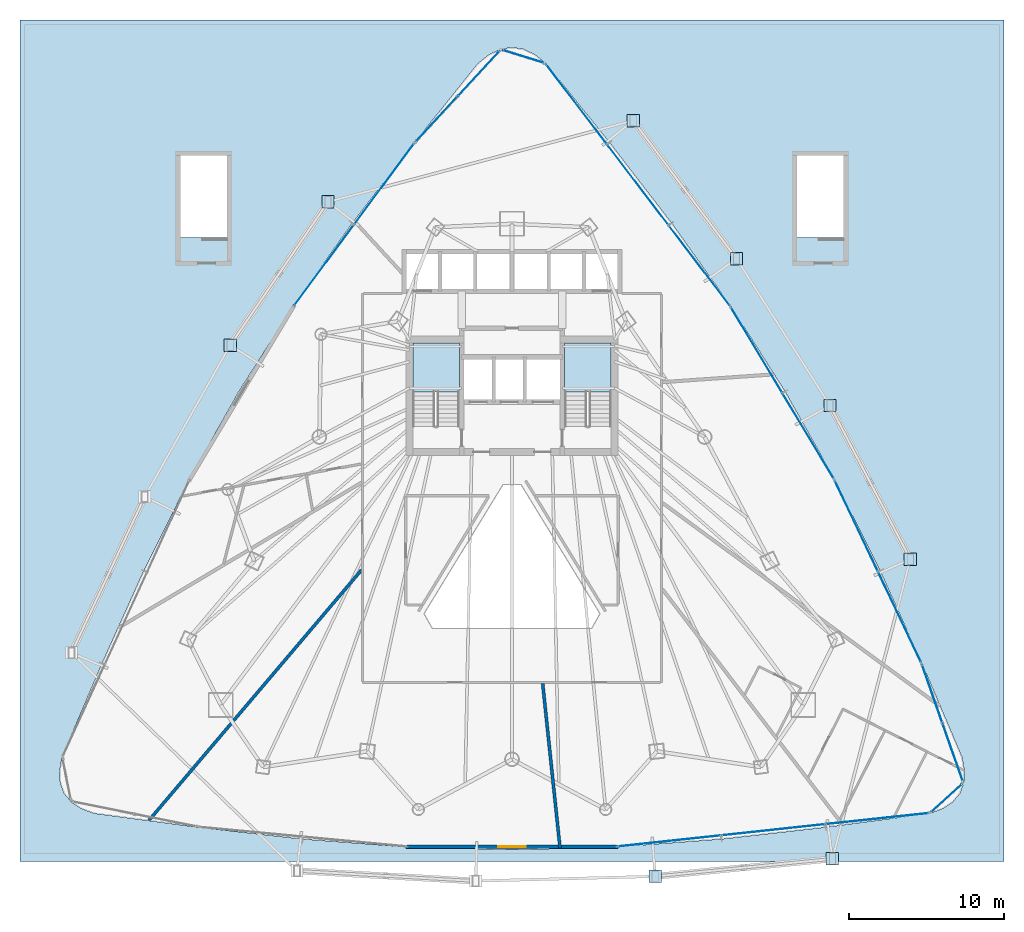
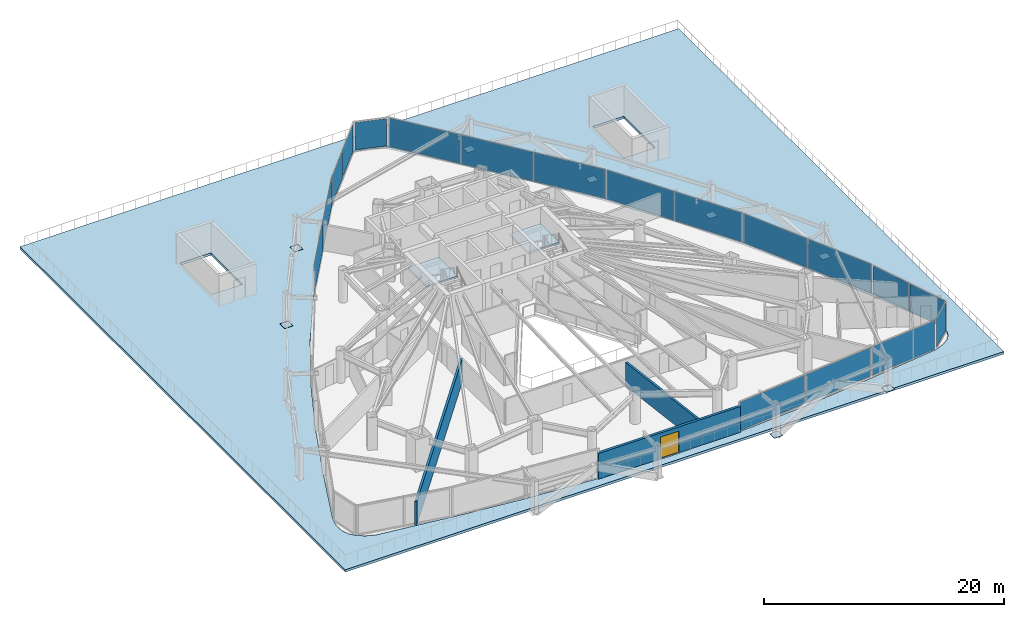
# One storey, part 28 of 36: 26 plates, 3 slabs, 3 walls, 1 door, 1 opening, 11 elements without a shape of their own.
"""IFC4 building model written with IfcOpenShell, lengths in metres."""

import ifcopenshell
import ifcopenshell.guid

model = None  # the IFC model being written
_history = None  # IfcOwnerHistory: only IFC2X3 demands one
_inside = {}  # id of a spatial element -> (the spatial element, [elements in it])
_under = {}  # id of a project, library or spatial element -> (it, [spatial elements below it])
_declared = {}  # id of a project -> (the project, [libraries it declares])
_typed = {}  # id of a type object -> (the type object, [elements of that type])
_made_of = {}  # id of a material, layer set ... -> (it, [elements and type objects made of it])


def new_model(schema):
    """Start an empty IFC model of exactly this schema.

    Asked for "IFC4X3", IfcOpenShell would pick the latest addendum, in which some entities
    have other attributes; the version numbers below select the first issue.
    IFC2X3 requires an IfcOwnerHistory on every rooted entity: one is made here for all.
    """
    global model, _history
    if schema == "IFC4X3":
        model = ifcopenshell.file(schema_version=(4, 3, 0, 0))
    else:
        model = ifcopenshell.file(schema=schema)
    _inside.clear()
    _under.clear()
    _declared.clear()
    _typed.clear()
    _made_of.clear()
    _history = None
    if model.schema == "IFC2X3":
        org = make("IfcOrganization", Name="unknown")
        user = make(
            "IfcPersonAndOrganization",
            ThePerson=make("IfcPerson", FamilyName="unknown"),
            TheOrganization=org,
        )
        app = make(
            "IfcApplication",
            ApplicationDeveloper=org,
            Version="unknown",
            ApplicationFullName="unknown",
            ApplicationIdentifier="unknown",
        )
        _history = make(
            "IfcOwnerHistory",
            OwningUser=user,
            OwningApplication=app,
            ChangeAction="ADDED",
            CreationDate=0,
        )
    return model


def make(cls, **values):
    """One entity of the class cls with the attributes given. An attribute that is None is left unset."""
    return model.create_entity(
        cls, **{name: value for name, value in values.items() if value is not None}
    )


def rooted(cls, **values):
    """An entity with a GlobalId (a new one), such as an element, a storey or a relation."""
    return make(cls, GlobalId=ifcopenshell.guid.new(), OwnerHistory=_history, **values)


def si_unit(unit_type, name, prefix=None):
    """IfcSIUnit, for example si_unit("LENGTHUNIT", "METRE", prefix="MILLI")."""
    return make("IfcSIUnit", UnitType=unit_type, Prefix=prefix, Name=name)


def assignment(units):
    """IfcUnitAssignment: the units of a project."""
    return None if units is None else make("IfcUnitAssignment", Units=units)


def point(xyz):
    """IfcCartesianPoint."""
    return None if xyz is None else make("IfcCartesianPoint", Coordinates=xyz)


def direction(xyz):
    """IfcDirection."""
    return None if xyz is None else make("IfcDirection", DirectionRatios=xyz)


def frame(location, z_axis=None, x_axis=None):
    """IfcAxis2Placement3D, a coordinate frame: its origin and axes. An axis left out is left unset."""
    return make(
        "IfcAxis2Placement3D",
        Location=point(location),
        Axis=direction(z_axis),
        RefDirection=direction(x_axis),
    )


def frame_2d(location, x_axis=None):
    """IfcAxis2Placement2D, a coordinate frame in the plane: its origin and x axis."""
    return make(
        "IfcAxis2Placement2D", Location=point(location), RefDirection=direction(x_axis)
    )


def origin():
    """The frame at (0, 0, 0) with its axes left unset."""
    return frame((0.0, 0.0, 0.0))


def origin_2d():
    """The frame at (0, 0) in the plane with its x axis left unset."""
    return frame_2d((0.0, 0.0))


def place(relative_to, where):
    """IfcLocalPlacement: puts the frame where relative to a parent placement (None: the world)."""
    return make(
        "IfcLocalPlacement", PlacementRelTo=relative_to, RelativePlacement=where
    )


def context(
    kind, dimensions, precision=None, world=None, true_north=None, identifier=None
):
    """IfcGeometricRepresentationContext, for example the 3D "Model" context."""
    return make(
        "IfcGeometricRepresentationContext",
        ContextIdentifier=identifier,
        ContextType=kind,
        CoordinateSpaceDimension=dimensions,
        Precision=precision,
        WorldCoordinateSystem=world,
        TrueNorth=true_north,
    )


def subcontext(parent, identifier, kind, view, scale=None):
    """IfcGeometricRepresentationSubContext, for example "Body" below "Model"."""
    return make(
        "IfcGeometricRepresentationSubContext",
        ContextIdentifier=identifier,
        ContextType=kind,
        ParentContext=parent,
        TargetScale=scale,
        TargetView=view,
    )


def project(units=None, contexts=None):
    """IfcProject with its units and contexts."""
    return rooted(
        "IfcProject",
        Name="project",
        RepresentationContexts=contexts,
        UnitsInContext=assignment(units),
    )


def spatial(cls, under=None, at=None, **own):
    """A site, building, storey or space (cls), placed at a placement, below another one or the project."""
    s = rooted(cls, ObjectPlacement=at, **own)
    if under is not None:
        _under.setdefault(under.id(), (under, []))[1].append(s)
    return s


def polyline(points):
    """IfcPolyline through the points."""
    return make("IfcPolyline", Points=[point(p) for p in points])


def profile(cls, at=None, kind="AREA", **sizes):
    """A parametric profile (cls). Its sizes go by their IFC names, for example OverallWidth=200.0."""
    return make(cls, ProfileType=kind, Position=at, **sizes)


def rectangle(**sizes):
    """IfcRectangleProfileDef."""
    return profile("IfcRectangleProfileDef", **sizes)


def outline(outer, holes=None, kind="AREA"):
    """IfcArbitraryClosedProfileDef: a profile drawn as a closed curve; with holes, ...WithVoids."""
    if holes is None:
        return make("IfcArbitraryClosedProfileDef", ProfileType=kind, OuterCurve=outer)
    return make(
        "IfcArbitraryProfileDefWithVoids",
        ProfileType=kind,
        OuterCurve=outer,
        InnerCurves=holes,
    )


def extrude(swept, where, along, depth):
    """IfcExtrudedAreaSolid: the profile swept, set in the frame where, extruded along a direction by depth."""
    return make(
        "IfcExtrudedAreaSolid",
        SweptArea=swept,
        Position=where,
        ExtrudedDirection=direction(along),
        Depth=depth,
    )


def shape(context_of_items, identifier, shape_type, items):
    """IfcShapeRepresentation: the items that make up one representation, for example the "Body"."""
    return make(
        "IfcShapeRepresentation",
        ContextOfItems=context_of_items,
        RepresentationIdentifier=identifier,
        RepresentationType=shape_type,
        Items=items,
    )


def material(Name=None, Category=None):
    """IfcMaterial."""
    return make("IfcMaterial", Name=Name, Category=Category)


def layer(
    of_material, thickness, ventilated=None, Name=None, Category=None, Priority=None
):
    """IfcMaterialLayer: one layer of a wall or slab, of a material (None: an air gap)."""
    return make(
        "IfcMaterialLayer",
        Material=of_material,
        LayerThickness=thickness,
        IsVentilated=ventilated,
        Name=Name,
        Category=Category,
        Priority=Priority,
    )


def layer_set(layers, Name=None):
    """IfcMaterialLayerSet."""
    return make("IfcMaterialLayerSet", MaterialLayers=layers, LayerSetName=Name)


def made_of(thing, what):
    """Note that an element or type object is made of a material, layer set ...; save() writes the relation."""
    if what is not None:
        _made_of.setdefault(what.id(), (what, []))[1].append(thing)
    return thing


def type_object(cls, material=None, **own):
    """A type object (cls), such as IfcWallType, which elements share."""
    return made_of(rooted(cls, **own), material)


def element(
    cls,
    number,
    at=None,
    inside=None,
    cuts=None,
    type_object=None,
    material=None,
    context=None,
    identifier="Body",
    shape_type=None,
    held_by="IfcProductDefinitionShape",
    body=None,
    shapes=None,
    **own,
):
    """One element of the class cls, such as IfcWall. Its Tag is "e" and its number.

    at: its placement. inside: the storey or other place that contains it. cuts: it is an
    opening in that element (IfcRelVoidsElement). A single representation is given by context,
    identifier, shape_type and body (its items); several are given by shapes. held_by: the class
    of the entity that holds the representations. save() writes the other relations.
    """
    e = rooted(cls, Tag="e%d" % number, ObjectPlacement=at, **own)
    if body is not None:
        shapes = [shape(context, identifier, shape_type, body)]
    if shapes is not None:
        e.Representation = make(held_by, Representations=shapes)
    if inside is not None:
        _inside.setdefault(inside.id(), (inside, []))[1].append(e)
    if cuts is not None:
        rooted(
            "IfcRelVoidsElement", RelatingBuildingElement=cuts, RelatedOpeningElement=e
        )
    if type_object is not None:
        _typed.setdefault(type_object.id(), (type_object, []))[1].append(e)
    return made_of(e, material)


def fill(opening, filler):
    """IfcRelFillsElement: the door or window that sits in an opening."""
    return rooted(
        "IfcRelFillsElement",
        RelatingOpeningElement=opening,
        RelatedBuildingElement=filler,
    )


def aggregate(whole, parts):
    """IfcRelAggregates: a whole, such as a stair, and the parts it consists of."""
    return rooted("IfcRelAggregates", RelatingObject=whole, RelatedObjects=parts)


def save(model, path):
    """Write the relations noted so far, then the file.

    IfcRelAggregates (storeys below a building ...), IfcRelContainedInSpatialStructure (elements
    in a storey), IfcRelDefinesByType, IfcRelAssociatesMaterial and IfcRelDeclares: one each for
    every whole, place, type object, material and project.
    """
    for whole, parts in _under.values():
        aggregate(whole, parts)
    for where, things in _inside.values():
        rooted(
            "IfcRelContainedInSpatialStructure",
            RelatedElements=things,
            RelatingStructure=where,
        )
    for kind, things in _typed.values():
        rooted("IfcRelDefinesByType", RelatedObjects=things, RelatingType=kind)
    for what, things in _made_of.values():
        rooted("IfcRelAssociatesMaterial", RelatedObjects=things, RelatingMaterial=what)
    for by, libraries in _declared.values():
        rooted("IfcRelDeclares", RelatingContext=by, RelatedDefinitions=libraries)
    model.write(path)


model = new_model("IFC4")

# Units and contexts
model_context = context("Model", 3, precision=1e-05, world=origin(), true_north=direction((0.0, 1.0)))
body_context = subcontext(model_context, "Body", "Model", "MODEL_VIEW")
ifc_project = project(units=[si_unit("LENGTHUNIT", "METRE"), si_unit("AREAUNIT", "SQUARE_METRE"), si_unit("VOLUMEUNIT", "CUBIC_METRE"), si_unit("PLANEANGLEUNIT", "RADIAN"), si_unit("MASSUNIT", "GRAM", prefix="KILO")], contexts=[model_context])

# Site, building, storey
site_placement = place(None, origin())
site = spatial("IfcSite", under=ifc_project, at=site_placement, CompositionType="ELEMENT")
building_placement = place(site_placement, origin())
building = spatial("IfcBuilding", under=site, at=building_placement, Name="Orvanel Arch Residences", CompositionType="ELEMENT")
storey_placement = place(building_placement, frame((0.0, 0.0, 23.60009765625)))
storey = spatial("IfcBuildingStorey", under=building, at=storey_placement, Name="L05", CompositionType="ELEMENT", Elevation=23.60009765625)

# Plates
ifc_material_1 = material(Name="Structural steel AS/NZS 3678 Grade 350", Category="steel")
ifc_layer_1 = layer(ifc_material_1, 0.031982421875)
ifc_layer_set_1 = layer_set([ifc_layer_1], Name="Structural steel AS/NZS 3678 Grade 350")
plate_type_1 = type_object("IfcPlateType", Name="PL-CAP-32", PredefinedType="SHEET", material=ifc_layer_set_1)
for number, where, z_axis, x_axis, name in (
    (1, (21.126953125, 42.80908203125, -0.01611328125), (0.0, 0.0, 1.0), (1.0, 0.0, 0.0), "L05 hollow member end cap plate"),
    (2, (14.81494140625, 33.56494140625, -0.01611328125), (0.0, 0.0, 1.0), (1.0, 0.0, 0.0), "L05 hollow member end cap plate"),
    (3, (42.239013671875, -0.714111328125, -0.01611328125), (0.0, 0.0, 1.0), (1.0, 0.0, 0.0), "L05 hollow member end cap plate"),
    (4, (53.677001953125, 0.416015625, -0.01611328125), (0.0, 0.0, 1.0), (1.0, 0.0, 0.0), "L05 hollow member end cap plate"),
    (5, (58.701904296875, 19.75390625, -0.01611328125), (0.0, 0.0, 1.0), (1.0, 0.0, 0.0), "L05 hollow member end cap plate"),
    (6, (53.51904296875, 29.675048828125, -0.01611328125), (0.0, 0.0, 1.0), (1.0, 0.0, 0.0), "L05 hollow member end cap plate"),
    (7, (47.489013671875, 39.14306640625, -0.01611328125), (0.0, 0.0, 1.0), (1.0, 0.0, 0.0), "L05 hollow member end cap plate"),
    (8, (40.822021484375, 48.05908203125, -0.01611328125), (0.0, 0.0, 1.0), (1.0, 0.0, 0.0), "L05 hollow member end cap plate"),
):
    element("IfcPlate", number, at=place(storey_placement, frame(where, z_axis=z_axis, x_axis=x_axis)), inside=storey, type_object=plate_type_1, Name=name, PredefinedType="SHEET", context=body_context, shape_type="SweptSolid", body=[
        extrude(rectangle(XDim=0.800048828125, YDim=0.800048828125, at=origin_2d()), origin(), (0.0, 0.0, 1.0), 0.031982421875),
    ])

# Curtain wall, plates
ifc_material_2 = material(Name="Bronze-anodised aluminium AA6063-T6", Category="aluminium")
ifc_layer_2 = layer(ifc_material_2, 0.179931640625)
ifc_layer_set_2 = layer_set([ifc_layer_2], Name="Bronze-anodised aluminium AA6063-T6")
curtain_wall_type_1 = type_object("IfcCurtainWallType", Name="CW2-LOW-SYS", PredefinedType="NOTDEFINED", material=ifc_layer_set_2)
curtain_wall_1_placement = place(storey_placement, origin())
curtain_wall_1 = element("IfcCurtainWall", 9, at=curtain_wall_1_placement, inside=storey, type_object=curtain_wall_type_1, Name="L05 CW2-LOW-SYS Unitised Curtain Wall", PredefinedType="NOTDEFINED")
ifc_material_3 = material(Name="Double-glazed solar-control low-E safety glass", Category="glass")
ifc_layer_3 = layer(ifc_material_3, 0.028076171875)
ifc_layer_set_3 = layer_set([ifc_layer_3], Name="Double-glazed solar-control low-E safety glass")
plate_type_2 = type_object("IfcPlateType", Name="PNL-GLZ-28", PredefinedType="CURTAIN_PANEL", material=ifc_layer_set_3)
plate_1_placement = place(storey_placement, frame((24.74365234375, 43.95751953125, 0.059814453125), z_axis=(0.0, 0.0, 1.0), x_axis=(-0.595117785002, -0.803638489605, 0.0)))
plate_1 = element("IfcPlate", 10, at=plate_1_placement, type_object=plate_type_2, Name="CW-S2 panel 1.1", PredefinedType="CURTAIN_PANEL", context=body_context, shape_type="SweptSolid", body=[
    extrude(rectangle(XDim=6.431640625, YDim=0.028076171875, at=origin_2d()), origin(), (0.0, 0.0, 1.0), 2.93994140625),
])
plate_2_placement = place(storey_placement, frame((20.87451171875, 38.732666015625, 0.059814453125), z_axis=(0.0, 0.0, 1.0), x_axis=(-0.595117785002, -0.803638489605, 0.0)))
plate_2 = element("IfcPlate", 11, at=plate_2_placement, type_object=plate_type_2, Name="CW-S2 panel 2.1", PredefinedType="CURTAIN_PANEL", context=body_context, shape_type="SweptSolid", body=[
    extrude(rectangle(XDim=6.431640625, YDim=0.028076171875, at=origin_2d()), origin(), (0.0, 0.0, 1.0), 2.93994140625),
])
aggregate(curtain_wall_1, [plate_1, plate_2])

curtain_wall_2_placement = place(storey_placement, origin())
curtain_wall_2 = element("IfcCurtainWall", 12, at=curtain_wall_2_placement, inside=storey, type_object=curtain_wall_type_1, Name="L05 CW2-LOW-SYS Unitised Curtain Wall", PredefinedType="NOTDEFINED")
plate_3_placement = place(storey_placement, frame((43.14697265625, 1.569091796875, 0.059814453125), z_axis=(0.0, 0.0, 1.0), x_axis=(0.994291070685, 0.106701765481, 0.0)))
plate_3 = element("IfcPlate", 13, at=plate_3_placement, type_object=plate_type_2, Name="CW-S2 panel 1.1", PredefinedType="CURTAIN_PANEL", context=body_context, shape_type="SweptSolid", body=[
    extrude(rectangle(XDim=6.66455078125, YDim=0.028076171875, at=origin_2d()), origin(), (0.0, 0.0, 1.0), 2.93994140625),
])
plate_4_placement = place(storey_placement, frame((49.860595703125, 2.28955078125, 0.059814453125), z_axis=(0.0, 0.0, 1.0), x_axis=(0.994291070685, 0.106701765481, 0.0)))
plate_4 = element("IfcPlate", 14, at=plate_4_placement, type_object=plate_type_2, Name="CW-S2 panel 2.1", PredefinedType="CURTAIN_PANEL", context=body_context, shape_type="SweptSolid", body=[
    extrude(rectangle(XDim=6.69970703125, YDim=0.028076171875, at=origin_2d()), origin(), (0.0, 0.0, 1.0), 2.93994140625),
])
plate_5_placement = place(storey_placement, frame((56.57421875, 3.010009765625, 0.059814453125), z_axis=(0.0, 0.0, 1.0), x_axis=(0.994291070685, 0.106701765481, 0.0)))
plate_5 = element("IfcPlate", 15, at=plate_5_placement, type_object=plate_type_2, Name="CW-S2 panel 3.1", PredefinedType="CURTAIN_PANEL", context=body_context, shape_type="SweptSolid", body=[
    extrude(rectangle(XDim=6.66455078125, YDim=0.028076171875, at=origin_2d()), origin(), (0.0, 0.0, 1.0), 2.93994140625),
])
aggregate(curtain_wall_2, [plate_3, plate_4, plate_5])

curtain_wall_3_placement = place(storey_placement, origin())
curtain_wall_3 = element("IfcCurtainWall", 16, at=curtain_wall_3_placement, inside=storey, type_object=curtain_wall_type_1, Name="L05 CW2-LOW-SYS Unitised Curtain Wall", PredefinedType="NOTDEFINED")
plate_6_placement = place(storey_placement, frame((58.012939453125, 16.0224609375, 0.059814453125), z_axis=(0.0, 0.0, 1.0), x_axis=(-0.428793124403, 0.903402710016, 0.0)))
plate_6 = element("IfcPlate", 17, at=plate_6_placement, type_object=plate_type_2, Name="CW-S2 panel 1.1", PredefinedType="CURTAIN_PANEL", context=body_context, shape_type="SweptSolid", body=[
    extrude(rectangle(XDim=6.431884765625, YDim=0.028076171875, at=origin_2d()), origin(), (0.0, 0.0, 1.0), 2.93994140625),
])
plate_7_placement = place(storey_placement, frame((55.22509765625, 21.896484375, 0.059814453125), z_axis=(0.0, 0.0, 1.0), x_axis=(-0.428793124403, 0.903402710016, 0.0)))
plate_7 = element("IfcPlate", 18, at=plate_7_placement, type_object=plate_type_2, Name="CW-S2 panel 2.1", PredefinedType="CURTAIN_PANEL", context=body_context, shape_type="SweptSolid", body=[
    extrude(rectangle(XDim=6.431884765625, YDim=0.028076171875, at=origin_2d()), origin(), (0.0, 0.0, 1.0), 2.93994140625),
])
aggregate(curtain_wall_3, [plate_6, plate_7])

curtain_wall_4_placement = place(storey_placement, origin())
curtain_wall_4 = element("IfcCurtainWall", 19, at=curtain_wall_4_placement, inside=storey, type_object=curtain_wall_type_1, Name="L05 CW2-LOW-SYS Unitised Curtain Wall", PredefinedType="NOTDEFINED")
plate_8_placement = place(storey_placement, frame((52.114501953125, 27.704833984375, 0.059814453125), z_axis=(0.0, 0.0, 1.0), x_axis=(-0.514416645603, 0.857540386644, 0.0)))
plate_8 = element("IfcPlate", 20, at=plate_8_placement, type_object=plate_type_2, Name="CW-S2 panel 1.1", PredefinedType="CURTAIN_PANEL", context=body_context, shape_type="SweptSolid", body=[
    extrude(rectangle(XDim=6.4013671875, YDim=0.028076171875, at=origin_2d()), origin(), (0.0, 0.0, 1.0), 2.93994140625),
])
plate_9_placement = place(storey_placement, frame((48.785400390625, 33.254150390625, 0.059814453125), z_axis=(0.0, 0.0, 1.0), x_axis=(-0.514416645603, 0.857540386644, 0.0)))
plate_9 = element("IfcPlate", 21, at=plate_9_placement, type_object=plate_type_2, Name="CW-S2 panel 2.1", PredefinedType="CURTAIN_PANEL", context=body_context, shape_type="SweptSolid", body=[
    extrude(rectangle(XDim=6.4013671875, YDim=0.028076171875, at=origin_2d()), origin(), (0.0, 0.0, 1.0), 2.93994140625),
])
aggregate(curtain_wall_4, [plate_8, plate_9])

curtain_wall_5_placement = place(storey_placement, origin())
curtain_wall_5 = element("IfcCurtainWall", 22, at=curtain_wall_5_placement, inside=storey, type_object=curtain_wall_type_1, Name="L05 CW2-LOW-SYS Unitised Curtain Wall", PredefinedType="NOTDEFINED")
plate_10_placement = place(storey_placement, frame((45.08544921875, 38.712646484375, 0.059814453125), z_axis=(0.0, 0.0, 1.0), x_axis=(-0.605811756299, 0.795608016507, 0.0)))
plate_10 = element("IfcPlate", 23, at=plate_10_placement, type_object=plate_type_2, Name="CW-S2 panel 1.1", PredefinedType="CURTAIN_PANEL", context=body_context, shape_type="SweptSolid", body=[
    extrude(rectangle(XDim=6.44775390625, YDim=0.028076171875, at=origin_2d()), origin(), (0.0, 0.0, 1.0), 2.93994140625),
])
plate_11_placement = place(storey_placement, frame((41.12646484375, 43.912109375, 0.059814453125), z_axis=(0.0, 0.0, 1.0), x_axis=(-0.605811756299, 0.795608016507, 0.0)))
plate_11 = element("IfcPlate", 24, at=plate_11_placement, type_object=plate_type_2, Name="CW-S2 panel 2.1", PredefinedType="CURTAIN_PANEL", context=body_context, shape_type="SweptSolid", body=[
    extrude(rectangle(XDim=6.482666015625, YDim=0.028076171875, at=origin_2d()), origin(), (0.0, 0.0, 1.0), 2.93994140625),
])
plate_12_placement = place(storey_placement, frame((37.16748046875, 49.111328125, 0.059814453125), z_axis=(0.0, 0.0, 1.0), x_axis=(-0.605811756299, 0.795608016507, 0.0)))
plate_12 = element("IfcPlate", 25, at=plate_12_placement, type_object=plate_type_2, Name="CW-S2 panel 3.1", PredefinedType="CURTAIN_PANEL", context=body_context, shape_type="SweptSolid", body=[
    extrude(rectangle(XDim=6.44775390625, YDim=0.028076171875, at=origin_2d()), origin(), (0.0, 0.0, 1.0), 2.93994140625),
])
aggregate(curtain_wall_5, [plate_10, plate_11, plate_12])

# Curtain wall, plate
ifc_layer_4 = layer(ifc_material_2, 0.18994140625)
ifc_layer_set_4 = layer_set([ifc_layer_4], Name="Bronze-anodised aluminium AA6063-T6")
curtain_wall_type_2 = type_object("IfcCurtainWallType", Name="CW5-CRN-SYS", PredefinedType="NOTDEFINED", material=ifc_layer_set_4)
curtain_wall_6_placement = place(storey_placement, origin())
curtain_wall_6 = element("IfcCurtainWall", 26, at=curtain_wall_6_placement, inside=storey, type_object=curtain_wall_type_2, Name="L05 CW5-CRN-SYS Unitised Curtain Wall", PredefinedType="NOTDEFINED")
ifc_layer_5 = layer(ifc_material_3, 0.031982421875)
ifc_layer_set_5 = layer_set([ifc_layer_5], Name="Double-glazed solar-control low-E safety glass")
plate_type_3 = type_object("IfcPlateType", Name="PNL-GLZ-32", PredefinedType="CURTAIN_PANEL", material=ifc_layer_set_5)
plate_13_placement = place(storey_placement, frame((33.719970703125, 52.196533203125, 0.1298828125), z_axis=(0.0, 0.0, 1.0), x_axis=(-0.954778389381, 0.297318393597, 0.0)))
plate_13 = element("IfcPlate", 27, at=plate_13_placement, type_object=plate_type_3, Name="CW-S5 panel 1.1", PredefinedType="CURTAIN_PANEL", context=body_context, shape_type="SweptSolid", body=[
    extrude(rectangle(XDim=2.676513671875, YDim=0.031982421875, at=origin_2d()), origin(), (0.0, 0.0, 1.0), 2.800048828125),
])
aggregate(curtain_wall_6, [plate_13])

# Curtain wall, plates
curtain_wall_7_placement = place(storey_placement, origin())
curtain_wall_7 = element("IfcCurtainWall", 28, at=curtain_wall_7_placement, inside=storey, type_object=curtain_wall_type_2, Name="L05 CW5-CRN-SYS Unitised Curtain Wall", PredefinedType="NOTDEFINED")
plate_14_placement = place(storey_placement, frame((30.855224609375, 51.102294921875, 0.1298828125), z_axis=(0.0, 0.0, 1.0), x_axis=(-0.678386879912, -0.734704866707, 0.0)))
plate_14 = element("IfcPlate", 29, at=plate_14_placement, type_object=plate_type_3, Name="CW-S5 panel 1.1", PredefinedType="CURTAIN_PANEL", context=body_context, shape_type="SweptSolid", body=[
    extrude(rectangle(XDim=3.85888671875, YDim=0.031982421875, at=origin_2d()), origin(), (0.0, 0.0, 1.0), 2.800048828125),
])
plate_15_placement = place(storey_placement, frame((28.1357421875, 48.15673828125, 0.1298828125), z_axis=(0.0, 0.0, 1.0), x_axis=(-0.678386879912, -0.734704866707, 0.0)))
plate_15 = element("IfcPlate", 30, at=plate_15_placement, type_object=plate_type_3, Name="CW-S5 panel 2.1", PredefinedType="CURTAIN_PANEL", context=body_context, shape_type="SweptSolid", body=[
    extrude(rectangle(XDim=3.85888671875, YDim=0.031982421875, at=origin_2d()), origin(), (0.0, 0.0, 1.0), 2.800048828125),
])
aggregate(curtain_wall_7, [plate_14, plate_15])

# Curtain wall, plate
curtain_wall_8_placement = place(storey_placement, origin())
curtain_wall_8 = element("IfcCurtainWall", 31, at=curtain_wall_8_placement, inside=storey, type_object=curtain_wall_type_2, Name="L05 CW5-CRN-SYS Unitised Curtain Wall", PredefinedType="NOTDEFINED")
plate_16_placement = place(storey_placement, frame((61.052490234375, 4.3515625, 0.1298828125), z_axis=(0.0, 0.0, 1.0), x_axis=(0.740145309845, 0.672446964685, 0.0)))
plate_16 = element("IfcPlate", 32, at=plate_16_placement, type_object=plate_type_3, Name="CW-S5 panel 1.1", PredefinedType="CURTAIN_PANEL", context=body_context, shape_type="SweptSolid", body=[
    extrude(rectangle(XDim=2.565673828125, YDim=0.031982421875, at=origin_2d()), origin(), (0.0, 0.0, 1.0), 2.800048828125),
])
aggregate(curtain_wall_8, [plate_16])

# Curtain wall, plates
curtain_wall_9_placement = place(storey_placement, origin())
curtain_wall_9 = element("IfcCurtainWall", 33, at=curtain_wall_9_placement, inside=storey, type_object=curtain_wall_type_2, Name="L05 CW5-CRN-SYS Unitised Curtain Wall", PredefinedType="NOTDEFINED")
plate_17_placement = place(storey_placement, frame((61.43798828125, 7.2998046875, 0.1298828125), z_axis=(0.0, 0.0, 1.0), x_axis=(-0.330185966322, 0.943915900726, 0.0)))
plate_17 = element("IfcPlate", 34, at=plate_17_placement, type_object=plate_type_3, Name="CW-S5 panel 1.1", PredefinedType="CURTAIN_PANEL", context=body_context, shape_type="SweptSolid", body=[
    extrude(rectangle(XDim=3.837890625, YDim=0.031982421875, at=origin_2d()), origin(), (0.0, 0.0, 1.0), 2.800048828125),
])
plate_18_placement = place(storey_placement, frame((60.12109375, 11.064208984375, 0.1298828125), z_axis=(0.0, 0.0, 1.0), x_axis=(-0.330185966322, 0.943915900726, 0.0)))
plate_18 = element("IfcPlate", 35, at=plate_18_placement, type_object=plate_type_3, Name="CW-S5 panel 2.1", PredefinedType="CURTAIN_PANEL", context=body_context, shape_type="SweptSolid", body=[
    extrude(rectangle(XDim=3.837890625, YDim=0.031982421875, at=origin_2d()), origin(), (0.0, 0.0, 1.0), 2.800048828125),
])
aggregate(curtain_wall_9, [plate_17, plate_18])

# Stair, slab
ifc_material_4 = material(Name="Precast concrete N50 (50 MPa)", Category="concrete")
stair_type = type_object("IfcStairType", Name="STR-DOG-184", PredefinedType="USERDEFINED", material=ifc_material_4)
stair_1_placement = place(storey_placement, origin())
stair_1 = element("IfcStair", 36, at=stair_1_placement, inside=storey, type_object=stair_type, Name="L05 Fire-Isolated Core Exit Stair 1", ObjectType="TWO_RETURN_STAIR", PredefinedType="USERDEFINED")
ifc_material_5 = material(Name="Concrete N40 (40 MPa)", Category="concrete")
ifc_layer_6 = layer(ifc_material_5, 0.199951171875)
ifc_layer_set_6 = layer_set([ifc_layer_6], Name="Concrete N40 (40 MPa)")
slab_type_1 = type_object("IfcSlabType", Name="SLB-LND-200", PredefinedType="LANDING", material=ifc_layer_set_6)
slab_1_placement = place(storey_placement, frame((0.0, 0.0, 1.449951171875)))
slab_1 = element("IfcSlab", 37, at=slab_1_placement, type_object=slab_type_1, Name="ST-1 landing 1", PredefinedType="LANDING", context=body_context, shape_type="SweptSolid", body=[
    extrude(outline(polyline([(29.60009765625, 30.56005859375), (29.60009765625, 33.699951171875), (26.60009765625, 33.699951171875), (26.60009765625, 30.56005859375), (29.60009765625, 30.56005859375)])), origin(), (0.0, 0.0, 1.0), 0.199951171875),
])
aggregate(stair_1, [slab_1])

stair_2_placement = place(storey_placement, origin())
stair_2 = element("IfcStair", 38, at=stair_2_placement, inside=storey, type_object=stair_type, Name="L05 Fire-Isolated Core Exit Stair 2", ObjectType="TWO_RETURN_STAIR", PredefinedType="USERDEFINED")
slab_2_placement = place(storey_placement, frame((0.0, 0.0, 1.449951171875)))
slab_2 = element("IfcSlab", 39, at=slab_2_placement, type_object=slab_type_1, Name="ST-2 landing 1", PredefinedType="LANDING", context=body_context, shape_type="SweptSolid", body=[
    extrude(outline(polyline([(39.39990234375, 30.56005859375), (39.39990234375, 33.699951171875), (36.39990234375, 33.699951171875), (36.39990234375, 30.56005859375), (39.39990234375, 30.56005859375)])), origin(), (0.0, 0.0, 1.0), 0.199951171875),
])
aggregate(stair_2, [slab_2])

# Slab
ifc_layer_7 = layer(ifc_material_5, 0.25)
ifc_layer_set_7 = layer_set([ifc_layer_7], Name="Concrete N40 (40 MPa)")
slab_type_2 = type_object("IfcSlabType", Name="SLB-PODROOF-250", PredefinedType="ROOF", material=ifc_layer_set_7)
slab_3_placement = place(storey_placement, frame((0.0, 0.0, -0.25)))
element("IfcSlab", 40, at=slab_3_placement, inside=storey, type_object=slab_type_2, Name="L05 Planted Podium Roof Terrace Slab 1", PredefinedType="ROOF", context=body_context, shape_type="SweptSolid", body=[
    extrude(outline(polyline([(64.75, 54.550048828125), (1.25, 54.550048828125), (1.25, 0.25), (64.75, 0.25), (64.75, 54.550048828125)]), holes=[polyline([(35.173095703125, 51.763916015625), (35.175048828125, 51.762939453125), (35.176025390625, 51.760986328125), (39.303955078125, 46.626953125), (39.304931640625, 46.626953125), (43.31494140625, 41.422119140625), (43.31591796875, 41.422119140625), (47.110107421875, 36.0869140625), (50.62109375, 30.58203125), (50.62109375, 30.5810546875), (53.824951171875, 24.89306640625), (53.824951171875, 24.89208984375), (56.7451171875, 19.032958984375), (56.74609375, 19.032958984375), (59.448974609375, 13.0439453125), (62.034912109375, 6.985107421875), (62.035888671875, 6.98193359375), (62.035888671875, 6.97998046875), (62.19091796875, 6.10009765625), (62.19091796875, 6.096923828125), (62.19091796875, 6.094970703125), (62.14794921875, 5.326904296875), (62.14794921875, 5.324951171875), (62.14697265625, 5.322998046875), (62.14697265625, 5.321044921875), (61.906005859375, 4.6650390625), (61.905029296875, 4.6630859375), (61.904052734375, 4.660888671875), (61.903076171875, 4.658935546875), (61.464111328125, 4.114990234375), (61.462890625, 4.113037109375), (61.4609375, 4.112060546875), (61.4599609375, 4.111083984375), (60.822998046875, 3.678955078125), (60.821044921875, 3.677001953125), (60.819091796875, 3.677001953125), (59.98388671875, 3.35595703125), (59.98193359375, 3.35595703125), (59.97998046875, 3.35498046875), (53.235107421875, 2.4560546875), (46.490966796875, 1.693115234375), (46.489990234375, 1.693115234375), (39.74609375, 1.18408203125), (39.7451171875, 1.18408203125), (33.0009765625, 1.0048828125), (32.9990234375, 1.0048828125), (26.2548828125, 1.18408203125), (26.25390625, 1.18408203125), (19.510009765625, 1.693115234375), (19.509033203125, 1.693115234375), (12.764892578125, 2.4560546875), (6.02001953125, 3.35498046875), (6.01806640625, 3.35595703125), (6.01611328125, 3.35595703125), (5.180908203125, 3.677001953125), (5.178955078125, 3.677001953125), (5.177001953125, 3.678955078125), (4.5400390625, 4.111083984375), (4.5390625, 4.112060546875), (4.537109375, 4.113037109375), (4.535888671875, 4.114990234375), (4.096923828125, 4.658935546875), (4.095947265625, 4.660888671875), (4.094970703125, 4.6630859375), (4.093994140625, 4.6650390625), (3.85302734375, 5.321044921875), (3.85302734375, 5.322998046875), (3.85205078125, 5.324951171875), (3.85205078125, 5.326904296875), (3.80908203125, 6.094970703125), (3.80908203125, 6.096923828125), (3.80908203125, 6.10009765625), (3.964111328125, 6.97998046875), (3.964111328125, 6.98193359375), (3.965087890625, 6.985107421875), (6.551025390625, 13.0439453125), (9.25390625, 19.032958984375), (9.2548828125, 19.032958984375), (12.175048828125, 24.89208984375), (12.175048828125, 24.89306640625), (15.37890625, 30.5810546875), (15.37890625, 30.58203125), (18.889892578125, 36.0869140625), (22.68408203125, 41.422119140625), (22.68505859375, 41.422119140625), (26.695068359375, 46.626953125), (26.696044921875, 46.626953125), (30.823974609375, 51.760986328125), (30.824951171875, 51.762939453125), (30.826904296875, 51.763916015625), (31.547119140625, 52.323974609375), (31.549072265625, 52.325927734375), (31.551025390625, 52.326904296875), (32.27099609375, 52.6630859375), (32.27294921875, 52.6640625), (32.27490234375, 52.6640625), (32.277099609375, 52.6640625), (32.9970703125, 52.777099609375), (32.9990234375, 52.777099609375), (33.0009765625, 52.777099609375), (33.0029296875, 52.777099609375), (33.722900390625, 52.6640625), (33.72509765625, 52.6640625), (33.72705078125, 52.6640625), (33.72900390625, 52.6630859375), (34.448974609375, 52.326904296875), (34.450927734375, 52.325927734375), (34.452880859375, 52.323974609375), (35.173095703125, 51.763916015625)]), polyline([(14.60009765625, 40.530029296875), (11.60009765625, 40.530029296875), (11.60009765625, 45.800048828125), (14.60009765625, 45.800048828125), (14.60009765625, 40.530029296875)]), polyline([(51.39990234375, 40.530029296875), (51.39990234375, 45.800048828125), (54.39990234375, 45.800048828125), (54.39990234375, 40.530029296875), (51.39990234375, 40.530029296875)])]), origin(), (0.0, 0.0, 1.0), 0.25),
])

# Wall, opening, door
ifc_layer_8 = layer(ifc_material_4, 0.239990234375)
ifc_layer_set_8 = layer_set([ifc_layer_8], Name="Precast concrete N50 (50 MPa)")
wall_type_1 = type_object("IfcWallType", Name="EW-BAL-240", PredefinedType="SOLIDWALL", material=ifc_layer_set_8)
wall_1_placement = place(storey_placement, frame((26.157958984375, 1.2041015625, 0.0), z_axis=(0.0, 0.0, 1.0), x_axis=(1.0, 0.0, 0.0)))
wall_1 = element("IfcWall", 41, at=wall_1_placement, inside=storey, type_object=wall_type_1, Name="L05 Podium Terrace Access Wall Face 2", PredefinedType="SOLIDWALL", context=body_context, shape_type="SweptSolid", body=[
    extrude(rectangle(XDim=13.68408203125, YDim=0.239990234375, at=frame_2d((6.842041015625, 0.0))), origin(), (0.0, 0.0, 1.0), 2.6240234375),
])
opening_placement = place(wall_1_placement, frame((5.94189453125, 0.0, 0.0)))
opening = element("IfcOpeningElement", 42, at=opening_placement, cuts=wall_1, Name="Opening DB-180", PredefinedType="OPENING", context=body_context, shape_type="SweptSolid", body=[
    extrude(rectangle(XDim=1.800048828125, YDim=2.199951171875, at=frame_2d((0.89990234375, 1.10009765625))), frame((0.0, 0.1298828125, 0.0), z_axis=(0.0, -1.0, 0.0), x_axis=(1.0, 0.0, 0.0)), (0.0, 0.0, 1.0), 0.260009765625),
])
door_type = type_object("IfcDoorType", Name="DR-BAL-1800", OperationType="NOTDEFINED", PredefinedType="DOOR", material=ifc_material_2)
door_placement = place(opening_placement, origin())
door = element("IfcDoor", 43, at=door_placement, inside=storey, type_object=door_type, Name="DR-L05-TERR-F2 L05 Planted Podium Terrace French Door Face 2", OperationType="DOUBLE_DOOR_SINGLE_SWING", OverallHeight=2.199951171875, OverallWidth=1.800048828125, PredefinedType="DOOR", context=body_context, shape_type="SweptSolid", body=[
    extrude(rectangle(XDim=1.800048828125, YDim=2.199951171875, at=frame_2d((0.89990234375, 1.10009765625))), frame((0.0, 0.02490234375, 0.0), z_axis=(0.0, -1.0, 0.0), x_axis=(1.0, 0.0, 0.0)), (0.0, 0.0, 1.0), 0.050048828125),
])
fill(opening, door)

# Walls
ifc_material_6 = material(Name="Fire-rated plasterboard lined steel stud partition", Category="steel")
ifc_layer_9 = layer(ifc_material_6, 0.199951171875)
ifc_layer_set_9 = layer_set([ifc_layer_9], Name="Fire-rated plasterboard lined steel stud partition")
wall_type_2 = type_object("IfcWallType", Name="W-DEM-200", PredefinedType="PARTITIONING", material=ifc_layer_set_9)
wall_2_placement = place(storey_placement, frame((9.5830078125, 2.9130859375, 0.0), z_axis=(0.0, 0.0, 1.0), x_axis=(0.647135024662, 0.76237540612, 0.0)))
element("IfcWall", 44, at=wall_2_placement, inside=storey, type_object=wall_type_2, Name="L05 Inter-Tenancy Acoustic Demising Wall", PredefinedType="PARTITIONING", context=body_context, shape_type="SweptSolid", body=[
    extrude(rectangle(XDim=21.18115234375, YDim=0.199951171875, at=frame_2d((10.590576171875, 0.0))), origin(), (0.0, 0.0, 1.0), 2.412841796875),
])
wall_3_placement = place(storey_placement, frame((34.97900390625, 11.739990234375, 0.0), z_axis=(0.0, 0.0, 1.0), x_axis=(0.104910939681, -0.994481621115, 0.0)))
element("IfcWall", 45, at=wall_3_placement, inside=storey, type_object=wall_type_2, Name="L05 Inter-Tenancy Acoustic Demising Wall", PredefinedType="PARTITIONING", context=body_context, shape_type="SweptSolid", body=[
    extrude(rectangle(XDim=10.6767578125, YDim=0.199951171875, at=frame_2d((5.33837890625, 0.0))), origin(), (0.0, 0.0, 1.0), 2.412841796875),
])

save(model, "model.ifc")
